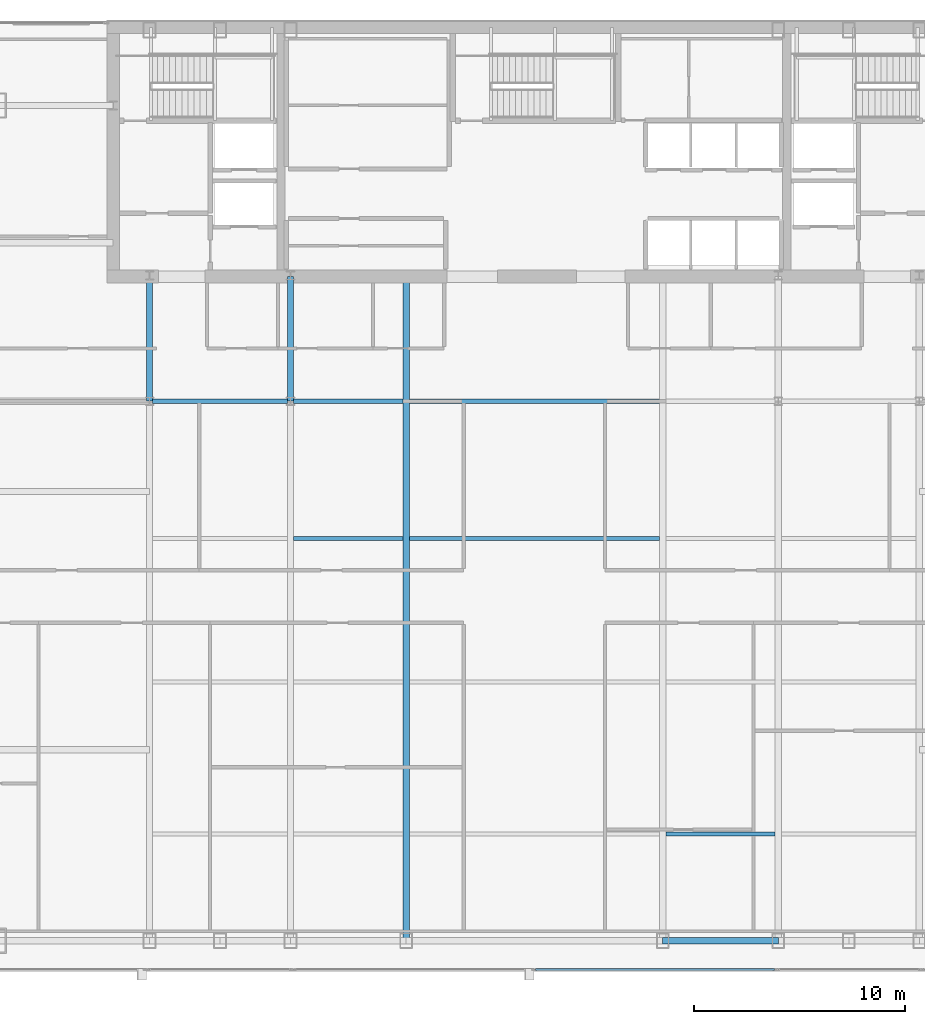
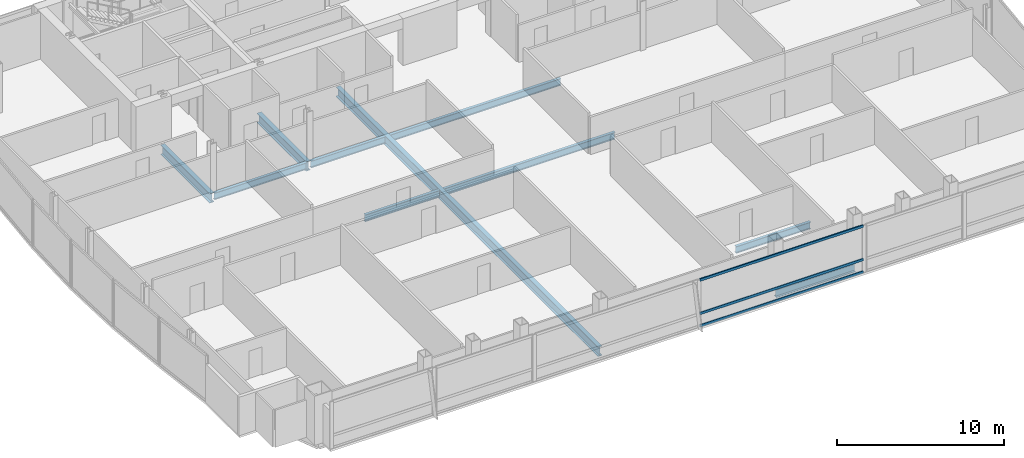
# One storey, part 13 of 32: 10 beams, 3 members, 1 element without a shape of its own.
"""IFC4 building model written with IfcOpenShell, lengths in metres."""

import ifcopenshell
import ifcopenshell.guid

model = None  # the IFC model being written
_history = None  # IfcOwnerHistory: only IFC2X3 demands one
_inside = {}  # id of a spatial element -> (the spatial element, [elements in it])
_under = {}  # id of a project, library or spatial element -> (it, [spatial elements below it])
_declared = {}  # id of a project -> (the project, [libraries it declares])
_typed = {}  # id of a type object -> (the type object, [elements of that type])
_made_of = {}  # id of a material, layer set ... -> (it, [elements and type objects made of it])


def new_model(schema):
    """Start an empty IFC model of exactly this schema.

    Asked for "IFC4X3", IfcOpenShell would pick the latest addendum, in which some entities
    have other attributes; the version numbers below select the first issue.
    IFC2X3 requires an IfcOwnerHistory on every rooted entity: one is made here for all.
    """
    global model, _history
    if schema == "IFC4X3":
        model = ifcopenshell.file(schema_version=(4, 3, 0, 0))
    else:
        model = ifcopenshell.file(schema=schema)
    _inside.clear()
    _under.clear()
    _declared.clear()
    _typed.clear()
    _made_of.clear()
    _history = None
    if model.schema == "IFC2X3":
        org = make("IfcOrganization", Name="unknown")
        user = make(
            "IfcPersonAndOrganization",
            ThePerson=make("IfcPerson", FamilyName="unknown"),
            TheOrganization=org,
        )
        app = make(
            "IfcApplication",
            ApplicationDeveloper=org,
            Version="unknown",
            ApplicationFullName="unknown",
            ApplicationIdentifier="unknown",
        )
        _history = make(
            "IfcOwnerHistory",
            OwningUser=user,
            OwningApplication=app,
            ChangeAction="ADDED",
            CreationDate=0,
        )
    return model


def make(cls, **values):
    """One entity of the class cls with the attributes given. An attribute that is None is left unset."""
    return model.create_entity(
        cls, **{name: value for name, value in values.items() if value is not None}
    )


def rooted(cls, **values):
    """An entity with a GlobalId (a new one), such as an element, a storey or a relation."""
    return make(cls, GlobalId=ifcopenshell.guid.new(), OwnerHistory=_history, **values)


def si_unit(unit_type, name, prefix=None):
    """IfcSIUnit, for example si_unit("LENGTHUNIT", "METRE", prefix="MILLI")."""
    return make("IfcSIUnit", UnitType=unit_type, Prefix=prefix, Name=name)


def assignment(units):
    """IfcUnitAssignment: the units of a project."""
    return None if units is None else make("IfcUnitAssignment", Units=units)


def point(xyz):
    """IfcCartesianPoint."""
    return None if xyz is None else make("IfcCartesianPoint", Coordinates=xyz)


def direction(xyz):
    """IfcDirection."""
    return None if xyz is None else make("IfcDirection", DirectionRatios=xyz)


def frame(location, z_axis=None, x_axis=None):
    """IfcAxis2Placement3D, a coordinate frame: its origin and axes. An axis left out is left unset."""
    return make(
        "IfcAxis2Placement3D",
        Location=point(location),
        Axis=direction(z_axis),
        RefDirection=direction(x_axis),
    )


def frame_2d(location, x_axis=None):
    """IfcAxis2Placement2D, a coordinate frame in the plane: its origin and x axis."""
    return make(
        "IfcAxis2Placement2D", Location=point(location), RefDirection=direction(x_axis)
    )


def origin():
    """The frame at (0, 0, 0) with its axes left unset."""
    return frame((0.0, 0.0, 0.0))


def origin_2d():
    """The frame at (0, 0) in the plane with its x axis left unset."""
    return frame_2d((0.0, 0.0))


def place(relative_to, where):
    """IfcLocalPlacement: puts the frame where relative to a parent placement (None: the world)."""
    return make(
        "IfcLocalPlacement", PlacementRelTo=relative_to, RelativePlacement=where
    )


def context(
    kind, dimensions, precision=None, world=None, true_north=None, identifier=None
):
    """IfcGeometricRepresentationContext, for example the 3D "Model" context."""
    return make(
        "IfcGeometricRepresentationContext",
        ContextIdentifier=identifier,
        ContextType=kind,
        CoordinateSpaceDimension=dimensions,
        Precision=precision,
        WorldCoordinateSystem=world,
        TrueNorth=true_north,
    )


def subcontext(parent, identifier, kind, view, scale=None):
    """IfcGeometricRepresentationSubContext, for example "Body" below "Model"."""
    return make(
        "IfcGeometricRepresentationSubContext",
        ContextIdentifier=identifier,
        ContextType=kind,
        ParentContext=parent,
        TargetScale=scale,
        TargetView=view,
    )


def project(units=None, contexts=None):
    """IfcProject with its units and contexts."""
    return rooted(
        "IfcProject",
        Name="project",
        RepresentationContexts=contexts,
        UnitsInContext=assignment(units),
    )


def spatial(cls, under=None, at=None, **own):
    """A site, building, storey or space (cls), placed at a placement, below another one or the project."""
    s = rooted(cls, ObjectPlacement=at, **own)
    if under is not None:
        _under.setdefault(under.id(), (under, []))[1].append(s)
    return s


def profile(cls, at=None, kind="AREA", **sizes):
    """A parametric profile (cls). Its sizes go by their IFC names, for example OverallWidth=200.0."""
    return make(cls, ProfileType=kind, Position=at, **sizes)


def hollow_rectangle(**sizes):
    """IfcRectangleHollowProfileDef."""
    return profile("IfcRectangleHollowProfileDef", **sizes)


def i_section(**sizes):
    """IfcIShapeProfileDef."""
    return profile("IfcIShapeProfileDef", **sizes)


def extrude(swept, where, along, depth):
    """IfcExtrudedAreaSolid: the profile swept, set in the frame where, extruded along a direction by depth."""
    return make(
        "IfcExtrudedAreaSolid",
        SweptArea=swept,
        Position=where,
        ExtrudedDirection=direction(along),
        Depth=depth,
    )


def shape(context_of_items, identifier, shape_type, items):
    """IfcShapeRepresentation: the items that make up one representation, for example the "Body"."""
    return make(
        "IfcShapeRepresentation",
        ContextOfItems=context_of_items,
        RepresentationIdentifier=identifier,
        RepresentationType=shape_type,
        Items=items,
    )


def material(Name=None, Category=None):
    """IfcMaterial."""
    return make("IfcMaterial", Name=Name, Category=Category)


def material_profile(
    of_material, cross_section, Name=None, Category=None, Priority=None
):
    """IfcMaterialProfile: a cross section and its material."""
    return make(
        "IfcMaterialProfile",
        Name=Name,
        Material=of_material,
        Profile=cross_section,
        Priority=Priority,
        Category=Category,
    )


def profile_set(profiles, Name=None, composite=None):
    """IfcMaterialProfileSet."""
    return make(
        "IfcMaterialProfileSet",
        Name=Name,
        MaterialProfiles=profiles,
        CompositeProfile=composite,
    )


def made_of(thing, what):
    """Note that an element or type object is made of a material, layer set ...; save() writes the relation."""
    if what is not None:
        _made_of.setdefault(what.id(), (what, []))[1].append(thing)
    return thing


def type_object(cls, material=None, **own):
    """A type object (cls), such as IfcWallType, which elements share."""
    return made_of(rooted(cls, **own), material)


def element(
    cls,
    number,
    at=None,
    inside=None,
    cuts=None,
    type_object=None,
    material=None,
    context=None,
    identifier="Body",
    shape_type=None,
    held_by="IfcProductDefinitionShape",
    body=None,
    shapes=None,
    **own,
):
    """One element of the class cls, such as IfcWall. Its Tag is "e" and its number.

    at: its placement. inside: the storey or other place that contains it. cuts: it is an
    opening in that element (IfcRelVoidsElement). A single representation is given by context,
    identifier, shape_type and body (its items); several are given by shapes. held_by: the class
    of the entity that holds the representations. save() writes the other relations.
    """
    e = rooted(cls, Tag="e%d" % number, ObjectPlacement=at, **own)
    if body is not None:
        shapes = [shape(context, identifier, shape_type, body)]
    if shapes is not None:
        e.Representation = make(held_by, Representations=shapes)
    if inside is not None:
        _inside.setdefault(inside.id(), (inside, []))[1].append(e)
    if cuts is not None:
        rooted(
            "IfcRelVoidsElement", RelatingBuildingElement=cuts, RelatedOpeningElement=e
        )
    if type_object is not None:
        _typed.setdefault(type_object.id(), (type_object, []))[1].append(e)
    return made_of(e, material)


def aggregate(whole, parts):
    """IfcRelAggregates: a whole, such as a stair, and the parts it consists of."""
    return rooted("IfcRelAggregates", RelatingObject=whole, RelatedObjects=parts)


def save(model, path):
    """Write the relations noted so far, then the file.

    IfcRelAggregates (storeys below a building ...), IfcRelContainedInSpatialStructure (elements
    in a storey), IfcRelDefinesByType, IfcRelAssociatesMaterial and IfcRelDeclares: one each for
    every whole, place, type object, material and project.
    """
    for whole, parts in _under.values():
        aggregate(whole, parts)
    for where, things in _inside.values():
        rooted(
            "IfcRelContainedInSpatialStructure",
            RelatedElements=things,
            RelatingStructure=where,
        )
    for kind, things in _typed.values():
        rooted("IfcRelDefinesByType", RelatedObjects=things, RelatingType=kind)
    for what, things in _made_of.values():
        rooted("IfcRelAssociatesMaterial", RelatedObjects=things, RelatingMaterial=what)
    for by, libraries in _declared.values():
        rooted("IfcRelDeclares", RelatingContext=by, RelatedDefinitions=libraries)
    model.write(path)


model = new_model("IFC4")

# Units and contexts
model_context = context("Model", 3, precision=1e-05, world=origin(), true_north=direction((0.0, 1.0)))
body_context = subcontext(model_context, "Body", "Model", "MODEL_VIEW")
ifc_project = project(units=[si_unit("LENGTHUNIT", "METRE"), si_unit("AREAUNIT", "SQUARE_METRE"), si_unit("VOLUMEUNIT", "CUBIC_METRE"), si_unit("PLANEANGLEUNIT", "RADIAN"), si_unit("MASSUNIT", "GRAM", prefix="KILO")], contexts=[model_context])

# Site, building, storey
site_placement = place(None, origin())
site = spatial("IfcSite", under=ifc_project, at=site_placement, CompositionType="ELEMENT")
building_placement = place(site_placement, origin())
building = spatial("IfcBuilding", under=site, at=building_placement, Name="Khoronbel Lancet Exchange", CompositionType="ELEMENT")
storey_placement = place(building_placement, frame((0.0, 0.0, 192.199951171875)))
storey = spatial("IfcBuildingStorey", under=building, at=storey_placement, Name="L48", CompositionType="ELEMENT", Elevation=192.199951171875)

# Beams
ifc_material_1 = material(Name="Steel S355", Category="steel")
ifc_material_profile_1 = material_profile(ifc_material_1, i_section(OverallWidth=0.300048828125, OverallDepth=0.699951171875, WebThickness=0.01708984375, FlangeThickness=0.031982421875, at=origin_2d()), Name="HEB 700")
ifc_profile_set_1 = profile_set([ifc_material_profile_1], Name="Steel S355")
beam_type_1 = type_object("IfcBeamType", Name="BM-BG3", PredefinedType="BEAM", material=ifc_profile_set_1)
for number, where, z_axis, x_axis, name in (
    (1, (18.22509765625, 35.699951171875, -0.510009765625), (0.0, 1.0, 0.0), (-1.0, 0.0, 0.0), "Level L48 spine tie girder GN1"),
    (2, (24.89990234375, 35.699951171875, -0.510009765625), (0.0, 1.0, 0.0), (-1.0, 0.0, 0.0), "Level L48 spine tie girder GN2"),
):
    element("IfcBeam", number, at=place(storey_placement, frame(where, z_axis=z_axis, x_axis=x_axis)), inside=storey, type_object=beam_type_1, Name=name, PredefinedType="BEAM", context=body_context, shape_type="SweptSolid", body=[
        extrude(i_section(OverallWidth=0.300048828125, OverallDepth=0.699951171875, WebThickness=0.01708984375, FlangeThickness=0.031982421875, at=origin_2d()), origin(), (0.0, 0.0, 1.0), 5.900146484375),
    ])
beam_1_placement = place(storey_placement, frame((30.375, 10.14990234375, -0.510009765625), z_axis=(0.0, 1.0, 0.0), x_axis=(-1.0, 0.0, 0.0)))
element("IfcBeam", 3, at=beam_1_placement, inside=storey, type_object=beam_type_1, Name="Level L48 primary floor girder G3", PredefinedType="BEAM", context=body_context, shape_type="SweptSolid", body=[
    extrude(i_section(OverallWidth=0.300048828125, OverallDepth=0.699951171875, WebThickness=0.01708984375, FlangeThickness=0.031982421875, at=origin_2d()), origin(), (0.0, 0.0, 1.0), 31.4501953125),
])
ifc_material_profile_2 = material_profile(ifc_material_1, i_section(OverallWidth=0.199951171875, OverallDepth=0.5, WebThickness=0.01025390625, FlangeThickness=0.01611328125, at=origin_2d()), Name="IPE 500")
ifc_profile_set_2 = profile_set([ifc_material_profile_2], Name="Steel S355")
beam_type_2 = type_object("IfcBeamType", Name="BM-BJ3", PredefinedType="JOIST", material=ifc_profile_set_2)
for number, where, z_axis, x_axis, name in (
    (4, (42.675048828125, 15.199951171875, -0.409912109375), (1.0, 0.0, 0.0), (0.0, 1.0, 0.0), "Level L48 secondary composite joist J04"),
    (5, (25.050048828125, 29.199951171875, -0.409912109375), (1.0, 0.0, 0.0), (0.0, 1.0, 0.0), "Level L48 secondary composite joist J12"),
):
    element("IfcBeam", number, at=place(storey_placement, frame(where, z_axis=z_axis, x_axis=x_axis)), inside=storey, type_object=beam_type_2, Name=name, PredefinedType="JOIST", context=body_context, shape_type="SweptSolid", body=[
        extrude(i_section(OverallWidth=0.199951171875, OverallDepth=0.5, WebThickness=0.01025390625, FlangeThickness=0.01611328125, at=origin_2d()), origin(), (0.0, 0.0, 1.0), 5.175048828125),
    ])
beam_2_placement = place(storey_placement, frame((30.52490234375, 29.199951171875, -0.409912109375), z_axis=(1.0, 0.0, 0.0), x_axis=(0.0, 1.0, 0.0)))
element("IfcBeam", 6, at=beam_2_placement, inside=storey, type_object=beam_type_2, Name="Level L48 secondary composite joist J13", PredefinedType="JOIST", context=body_context, shape_type="SweptSolid", body=[
    extrude(i_section(OverallWidth=0.199951171875, OverallDepth=0.5, WebThickness=0.01025390625, FlangeThickness=0.01611328125, at=origin_2d()), origin(), (0.0, 0.0, 1.0), 11.85009765625),
])
beam_3_placement = place(storey_placement, frame((18.375, 35.699951171875, -0.409912109375), z_axis=(1.0, 0.0, 0.0), x_axis=(0.0, 1.0, 0.0)))
element("IfcBeam", 7, at=beam_3_placement, inside=storey, type_object=beam_type_2, Name="Level L48 secondary composite joist J16", PredefinedType="JOIST", context=body_context, shape_type="SweptSolid", body=[
    extrude(i_section(OverallWidth=0.199951171875, OverallDepth=0.5, WebThickness=0.01025390625, FlangeThickness=0.01611328125, at=origin_2d()), origin(), (0.0, 0.0, 1.0), 6.375),
])
beam_4_placement = place(storey_placement, frame((25.050048828125, 35.699951171875, -0.409912109375), z_axis=(1.0, 0.0, 0.0), x_axis=(0.0, 1.0, 0.0)))
element("IfcBeam", 8, at=beam_4_placement, inside=storey, type_object=beam_type_2, Name="Level L48 secondary composite joist J17", PredefinedType="JOIST", context=body_context, shape_type="SweptSolid", body=[
    extrude(i_section(OverallWidth=0.199951171875, OverallDepth=0.5, WebThickness=0.01025390625, FlangeThickness=0.01611328125, at=origin_2d()), origin(), (0.0, 0.0, 1.0), 5.175048828125),
])
beam_5_placement = place(storey_placement, frame((30.52490234375, 35.699951171875, -0.409912109375), z_axis=(1.0, 0.0, 0.0), x_axis=(0.0, 1.0, 0.0)))
element("IfcBeam", 9, at=beam_5_placement, inside=storey, type_object=beam_type_2, Name="Level L48 secondary composite joist J18", PredefinedType="JOIST", context=body_context, shape_type="SweptSolid", body=[
    extrude(i_section(OverallWidth=0.199951171875, OverallDepth=0.5, WebThickness=0.01025390625, FlangeThickness=0.01611328125, at=origin_2d()), origin(), (0.0, 0.0, 1.0), 11.85009765625),
])
ifc_material_profile_3 = material_profile(ifc_material_1, i_section(OverallWidth=0.300048828125, OverallDepth=0.60009765625, WebThickness=0.015380859375, FlangeThickness=0.030029296875, at=origin_2d()), Name="HEB 600")
ifc_profile_set_3 = profile_set([ifc_material_profile_3], Name="Steel S355")
beam_type_3 = type_object("IfcBeamType", Name="BM-BSP2", PredefinedType="SPANDREL", material=ifc_profile_set_3)
beam_6_placement = place(storey_placement, frame((42.52490234375, 10.14990234375, -0.4599609375), z_axis=(1.0, 0.0, 0.0), x_axis=(0.0, 1.0, 0.0)))
element("IfcBeam", 10, at=beam_6_placement, inside=storey, type_object=beam_type_3, Name="Level L48 perimeter spandrel beam SP06", PredefinedType="SPANDREL", context=body_context, shape_type="SweptSolid", body=[
    extrude(i_section(OverallWidth=0.300048828125, OverallDepth=0.60009765625, WebThickness=0.015380859375, FlangeThickness=0.030029296875, at=origin_2d()), origin(), (0.0, 0.0, 1.0), 5.47509765625),
])

# Curtain wall, members
ifc_material_2 = material(Name="Low-E Solar Control Insulating Glass", Category="glass")
curtain_wall_type = type_object("IfcCurtainWallType", Name="CW-3", PredefinedType="NOTDEFINED", material=ifc_material_2)
curtain_wall_placement = place(storey_placement, origin())
curtain_wall = element("IfcCurtainWall", 11, at=curtain_wall_placement, inside=storey, type_object=curtain_wall_type, Name="Unitised curtain wall CW-L48-SCV", PredefinedType="NOTDEFINED")
ifc_material_3 = material(Name="Bronze-Anodised Aluminium 6063-T6", Category="aluminium")
ifc_material_profile_4 = material_profile(ifc_material_3, hollow_rectangle(XDim=0.0849609375, YDim=0.179931640625, WallThickness=0.0048828125, at=origin_2d()), Name="ALU TRANSOM 85x180")
ifc_profile_set_4 = profile_set([ifc_material_profile_4], Name="Bronze-Anodised Aluminium 6063-T6")
member_type = type_object("IfcMemberType", Name="MEM-CWT1", PredefinedType="USERDEFINED", material=ifc_profile_set_4)
member_1_placement = place(storey_placement, frame((36.492431640625, 8.7900390625, 0.04248046875), z_axis=(1.0, 0.0, 0.0), x_axis=(0.0, 1.0, 0.0)))
member_1 = element("IfcMember", 12, at=member_1_placement, type_object=member_type, Name="CW3 transom 2.1", ObjectType="TRANSOM", PredefinedType="USERDEFINED", context=body_context, shape_type="SweptSolid", body=[
    extrude(hollow_rectangle(XDim=0.0849609375, YDim=0.179931640625, WallThickness=0.0048828125, at=origin_2d()), origin(), (0.0, 0.0, 1.0), 11.322509765625),
])
member_2_placement = place(storey_placement, frame((36.492431640625, 8.7900390625, 0.949951171875), z_axis=(1.0, 0.0, 0.0), x_axis=(0.0, 1.0, 0.0)))
member_2 = element("IfcMember", 13, at=member_2_placement, type_object=member_type, Name="CW3 transom 2.2", ObjectType="TRANSOM", PredefinedType="USERDEFINED", context=body_context, shape_type="SweptSolid", body=[
    extrude(hollow_rectangle(XDim=0.0849609375, YDim=0.179931640625, WallThickness=0.0048828125, at=origin_2d()), origin(), (0.0, 0.0, 1.0), 11.322509765625),
])
member_3_placement = place(storey_placement, frame((36.492431640625, 8.7900390625, 3.3974609375), z_axis=(1.0, 0.0, 0.0), x_axis=(0.0, 1.0, 0.0)))
member_3 = element("IfcMember", 14, at=member_3_placement, type_object=member_type, Name="CW3 transom 2.3", ObjectType="TRANSOM", PredefinedType="USERDEFINED", context=body_context, shape_type="SweptSolid", body=[
    extrude(hollow_rectangle(XDim=0.0849609375, YDim=0.179931640625, WallThickness=0.0048828125, at=origin_2d()), origin(), (0.0, 0.0, 1.0), 11.322509765625),
])
aggregate(curtain_wall, [member_1, member_2, member_3])

save(model, "model.ifc")
